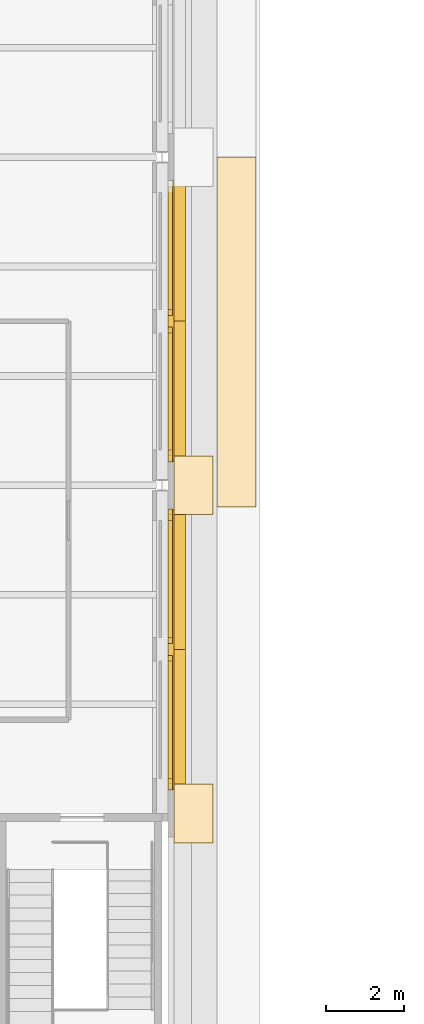
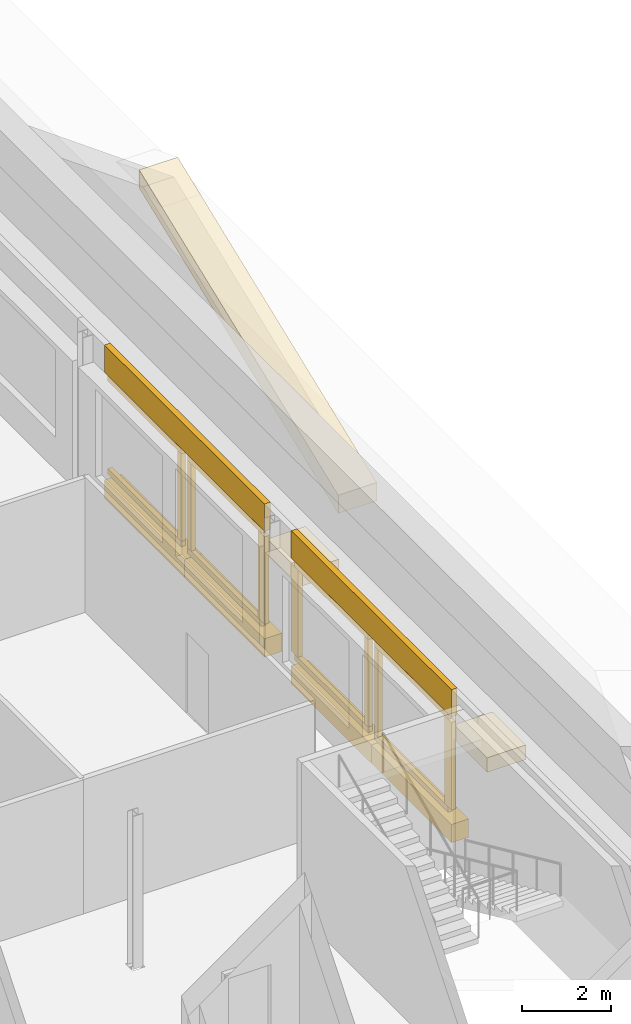
# One storey, part 65 of 76: 24 coverings.
"""IFC4 building model written with IfcOpenShell, lengths in metres."""

from ifc_helpers import new_model, si_unit, direction, frame, origin, origin_2d, place, context, subcontext, project, spatial, polyline, rectangle, outline, extrude, material, layer, layer_set, type_object, element, save


model = new_model("IFC4")

# Units and contexts
model_context = context("Model", 3, precision=1e-05, world=origin(), true_north=direction((0.0, 1.0)))
body_context = subcontext(model_context, "Body", "Model", "MODEL_VIEW")
ifc_project = project(units=[si_unit("LENGTHUNIT", "METRE"), si_unit("AREAUNIT", "SQUARE_METRE"), si_unit("VOLUMEUNIT", "CUBIC_METRE"), si_unit("PLANEANGLEUNIT", "RADIAN"), si_unit("MASSUNIT", "GRAM", prefix="KILO")], contexts=[model_context])

# Site, building, storey
site_placement = place(None, origin())
site = spatial("IfcSite", under=ifc_project, at=site_placement, CompositionType="ELEMENT")
building_placement = place(site_placement, origin())
building = spatial("IfcBuilding", under=site, at=building_placement, Name="Sava Quay Ferry Terminal", CompositionType="ELEMENT")
storey_placement = place(building_placement, frame((0.0, 0.0, 10.800048828125)))
storey = spatial("IfcBuildingStorey", under=building, at=storey_placement, Name="L02", CompositionType="ELEMENT", Elevation=10.800048828125)

# Coverings
ifc_material_1 = material(Name="Limestone Mutalj", Category="masonry")
ifc_layer_1 = layer(ifc_material_1, 0.14990234375)
ifc_layer_set_1 = layer_set([ifc_layer_1], Name="Limestone Mutalj")
covering_type_1 = type_object("IfcCoveringType", Name="Limestone string course 150", PredefinedType="CLADDING", material=ifc_layer_set_1)
covering_1_placement = place(storey_placement, frame((0.0, 0.0, 3.449951171875)))
element("IfcCovering", 1, at=covering_1_placement, inside=storey, type_object=covering_type_1, Name="String course O-E", PredefinedType="CLADDING", context=body_context, shape_type="SweptSolid", body=[
    extrude(outline(polyline([(109.35009765625, 67.800048828125), (109.35009765625, 75.0), (109.5, 75.0), (109.5, 67.800048828125), (109.35009765625, 67.800048828125)])), origin(), (0.0, 0.0, 1.0), 0.75),
])
covering_2_placement = place(storey_placement, frame((0.0, 0.0, 3.449951171875)))
element("IfcCovering", 2, at=covering_2_placement, inside=storey, type_object=covering_type_1, Name="String course O-E", PredefinedType="CLADDING", context=body_context, shape_type="SweptSolid", body=[
    extrude(outline(polyline([(109.35009765625, 76.199951171875), (109.35009765625, 83.39990234375), (109.5, 83.39990234375), (109.5, 76.199951171875), (109.35009765625, 76.199951171875)])), origin(), (0.0, 0.0, 1.0), 0.75),
])
ifc_material_2 = material(Name="Limestone Mutalj", Category="masonry")
ifc_layer_2 = layer(ifc_material_2, 1.0)
ifc_layer_set_2 = layer_set([ifc_layer_2], Name="Limestone Mutalj")
covering_type_2 = type_object("IfcCoveringType", Name="Pilaster capital block 1500", PredefinedType="MOLDING", material=ifc_layer_set_2)
for number, where, z_axis, x_axis, name in (
    (3, (110.0, 67.199951171875, 2.699951171875), (0.0, 0.0, 1.0), (1.0, 0.0, 0.0), "Giant-order capital"),
    (4, (110.0, 75.60009765625, 2.699951171875), (0.0, 0.0, 1.0), (1.0, 0.0, 0.0), "Giant-order capital"),
):
    element("IfcCovering", number, at=place(storey_placement, frame(where, z_axis=z_axis, x_axis=x_axis)), inside=storey, type_object=covering_type_2, Name=name, PredefinedType="MOLDING", context=body_context, shape_type="SweptSolid", body=[
        extrude(rectangle(XDim=1.0, YDim=1.5, at=origin_2d()), origin(), (0.0, 0.0, 1.0), 0.39990234375),
    ])
ifc_material_3 = material(Name="Limestone Mutalj", Category="masonry")
ifc_layer_3 = layer(ifc_material_3, 0.1201171875)
ifc_layer_set_3 = layer_set([ifc_layer_3], Name="Limestone Mutalj")
covering_type_3 = type_object("IfcCoveringType", Name="Plain window architrave 150", PredefinedType="MOLDING", material=ifc_layer_set_3)
covering_3_placement = place(storey_placement, frame((109.409912109375, 67.949951171875, 0.89990234375), z_axis=(0.0, 0.0, 1.0), x_axis=(1.0, 0.0, 0.0)))
element("IfcCovering", 5, at=covering_3_placement, inside=storey, type_object=covering_type_3, Name="Plain window architrave", PredefinedType="MOLDING", context=body_context, shape_type="SweptSolid", body=[
    extrude(rectangle(XDim=0.1201171875, YDim=0.300048828125, at=origin_2d()), origin(), (0.0, 0.0, 1.0), 2.39990234375),
])
covering_4_placement = place(storey_placement, frame((109.409912109375, 71.175048828125, 0.89990234375), z_axis=(0.0, 0.0, 1.0), x_axis=(1.0, 0.0, 0.0)))
element("IfcCovering", 6, at=covering_4_placement, inside=storey, type_object=covering_type_3, Name="Plain window architrave", PredefinedType="MOLDING", context=body_context, shape_type="SweptSolid", body=[
    extrude(rectangle(XDim=0.1201171875, YDim=0.14990234375, at=origin_2d()), origin(), (0.0, 0.0, 1.0), 2.39990234375),
])
for number, where, z_axis, x_axis, name in (
    (7, (109.409912109375, 69.60009765625, 3.300048828125), (0.0, 0.0, 1.0), (1.0, 0.0, 0.0), "Plain window architrave"),
    (8, (109.409912109375, 69.60009765625, 0.75), (0.0, 0.0, 1.0), (1.0, 0.0, 0.0), "Plain window architrave"),
):
    element("IfcCovering", number, at=place(storey_placement, frame(where, z_axis=z_axis, x_axis=x_axis)), inside=storey, type_object=covering_type_3, Name=name, PredefinedType="MOLDING", context=body_context, shape_type="SweptSolid", body=[
        extrude(rectangle(XDim=0.1201171875, YDim=3.300048828125, at=origin_2d()), origin(), (0.0, 0.0, 1.0), 0.14990234375),
    ])
covering_5_placement = place(storey_placement, frame((109.409912109375, 71.625, 0.89990234375), z_axis=(0.0, 0.0, 1.0), x_axis=(1.0, 0.0, 0.0)))
element("IfcCovering", 9, at=covering_5_placement, inside=storey, type_object=covering_type_3, Name="Plain window architrave", PredefinedType="MOLDING", context=body_context, shape_type="SweptSolid", body=[
    extrude(rectangle(XDim=0.1201171875, YDim=0.14990234375, at=origin_2d()), origin(), (0.0, 0.0, 1.0), 2.39990234375),
])
covering_6_placement = place(storey_placement, frame((109.409912109375, 74.85009765625, 0.89990234375), z_axis=(0.0, 0.0, 1.0), x_axis=(1.0, 0.0, 0.0)))
element("IfcCovering", 10, at=covering_6_placement, inside=storey, type_object=covering_type_3, Name="Plain window architrave", PredefinedType="MOLDING", context=body_context, shape_type="SweptSolid", body=[
    extrude(rectangle(XDim=0.1201171875, YDim=0.300048828125, at=origin_2d()), origin(), (0.0, 0.0, 1.0), 2.39990234375),
])
for number, where, z_axis, x_axis, name in (
    (11, (109.409912109375, 73.199951171875, 3.300048828125), (0.0, 0.0, 1.0), (1.0, 0.0, 0.0), "Plain window architrave"),
    (12, (109.409912109375, 73.199951171875, 0.75), (0.0, 0.0, 1.0), (1.0, 0.0, 0.0), "Plain window architrave"),
):
    element("IfcCovering", number, at=place(storey_placement, frame(where, z_axis=z_axis, x_axis=x_axis)), inside=storey, type_object=covering_type_3, Name=name, PredefinedType="MOLDING", context=body_context, shape_type="SweptSolid", body=[
        extrude(rectangle(XDim=0.1201171875, YDim=3.300048828125, at=origin_2d()), origin(), (0.0, 0.0, 1.0), 0.14990234375),
    ])
covering_7_placement = place(storey_placement, frame((109.409912109375, 76.35009765625, 0.89990234375), z_axis=(0.0, 0.0, 1.0), x_axis=(1.0, 0.0, 0.0)))
element("IfcCovering", 13, at=covering_7_placement, inside=storey, type_object=covering_type_3, Name="Plain window architrave", PredefinedType="MOLDING", context=body_context, shape_type="SweptSolid", body=[
    extrude(rectangle(XDim=0.1201171875, YDim=0.300048828125, at=origin_2d()), origin(), (0.0, 0.0, 1.0), 2.39990234375),
])
covering_8_placement = place(storey_placement, frame((109.409912109375, 79.574951171875, 0.89990234375), z_axis=(0.0, 0.0, 1.0), x_axis=(1.0, 0.0, 0.0)))
element("IfcCovering", 14, at=covering_8_placement, inside=storey, type_object=covering_type_3, Name="Plain window architrave", PredefinedType="MOLDING", context=body_context, shape_type="SweptSolid", body=[
    extrude(rectangle(XDim=0.1201171875, YDim=0.14990234375, at=origin_2d()), origin(), (0.0, 0.0, 1.0), 2.39990234375),
])
for number, where, z_axis, x_axis, name in (
    (15, (109.409912109375, 78.0, 3.300048828125), (0.0, 0.0, 1.0), (1.0, 0.0, 0.0), "Plain window architrave"),
    (16, (109.409912109375, 78.0, 0.75), (0.0, 0.0, 1.0), (1.0, 0.0, 0.0), "Plain window architrave"),
):
    element("IfcCovering", number, at=place(storey_placement, frame(where, z_axis=z_axis, x_axis=x_axis)), inside=storey, type_object=covering_type_3, Name=name, PredefinedType="MOLDING", context=body_context, shape_type="SweptSolid", body=[
        extrude(rectangle(XDim=0.1201171875, YDim=3.300048828125, at=origin_2d()), origin(), (0.0, 0.0, 1.0), 0.14990234375),
    ])
covering_9_placement = place(storey_placement, frame((109.409912109375, 80.02490234375, 0.89990234375), z_axis=(0.0, 0.0, 1.0), x_axis=(1.0, 0.0, 0.0)))
element("IfcCovering", 17, at=covering_9_placement, inside=storey, type_object=covering_type_3, Name="Plain window architrave", PredefinedType="MOLDING", context=body_context, shape_type="SweptSolid", body=[
    extrude(rectangle(XDim=0.1201171875, YDim=0.14990234375, at=origin_2d()), origin(), (0.0, 0.0, 1.0), 2.39990234375),
])
for number, where, z_axis, x_axis, name in (
    (18, (109.409912109375, 81.60009765625, 3.300048828125), (0.0, 0.0, 1.0), (1.0, 0.0, 0.0), "Plain window architrave"),
    (19, (109.409912109375, 81.60009765625, 0.75), (0.0, 0.0, 1.0), (1.0, 0.0, 0.0), "Plain window architrave"),
):
    element("IfcCovering", number, at=place(storey_placement, frame(where, z_axis=z_axis, x_axis=x_axis)), inside=storey, type_object=covering_type_3, Name=name, PredefinedType="MOLDING", context=body_context, shape_type="SweptSolid", body=[
        extrude(rectangle(XDim=0.1201171875, YDim=3.300048828125, at=origin_2d()), origin(), (0.0, 0.0, 1.0), 0.14990234375),
    ])
ifc_material_4 = material(Name="Limestone Mutalj", Category="masonry")
ifc_layer_4 = layer(ifc_material_4, 1.0)
ifc_layer_set_4 = layer_set([ifc_layer_4], Name="Limestone Mutalj")
covering_type_4 = type_object("IfcCoveringType", Name="Portico raking cornice 1000", PredefinedType="MOLDING", material=ifc_layer_set_4)
covering_10_placement = place(storey_placement, frame((111.60009765625, 75.050048828125, 4.199951171875), z_axis=(1.0, 0.0, 0.0), x_axis=(0.0, 0.931318849213, 0.364204888903)))
element("IfcCovering", 20, at=covering_10_placement, inside=storey, type_object=covering_type_4, Name="Portico raking cornice", PredefinedType="MOLDING", context=body_context, shape_type="SweptSolid", body=[
    extrude(outline(polyline([(0.0, 0.0), (9.609975337062354, 0.0), (9.792077781514095, 0.46565942460633236), (0.1821024444517412, 0.46565942460633236), (0.0, 0.0)])), origin(), (0.0, 0.0, -1.0), 1.0),
])
ifc_material_5 = material(Name="Limestone Mutalj", Category="masonry")
ifc_layer_5 = layer(ifc_material_5, 0.449951171875)
ifc_layer_set_5 = layer_set([ifc_layer_5], Name="Limestone Mutalj")
covering_type_5 = type_object("IfcCoveringType", Name="Projecting string course 500", PredefinedType="MOLDING", material=ifc_layer_set_5)
for number, where, z_axis, x_axis, name in (
    (21, (109.574951171875, 69.60009765625, 0.0), (0.0, 0.0, 1.0), (1.0, 0.0, 0.0), "Projecting string course"),
    (22, (109.574951171875, 73.199951171875, 0.0), (0.0, 0.0, 1.0), (1.0, 0.0, 0.0), "Projecting string course"),
    (23, (109.574951171875, 78.0, 0.0), (0.0, 0.0, 1.0), (1.0, 0.0, 0.0), "Projecting string course"),
    (24, (109.574951171875, 81.60009765625, 0.0), (0.0, 0.0, 1.0), (1.0, 0.0, 0.0), "Projecting string course"),
):
    element("IfcCovering", number, at=place(storey_placement, frame(where, z_axis=z_axis, x_axis=x_axis)), inside=storey, type_object=covering_type_5, Name=name, PredefinedType="MOLDING", context=body_context, shape_type="SweptSolid", body=[
        extrude(rectangle(XDim=0.449951171875, YDim=3.60009765625, at=origin_2d()), origin(), (0.0, 0.0, 1.0), 0.5),
    ])

save(model, "model.ifc")
